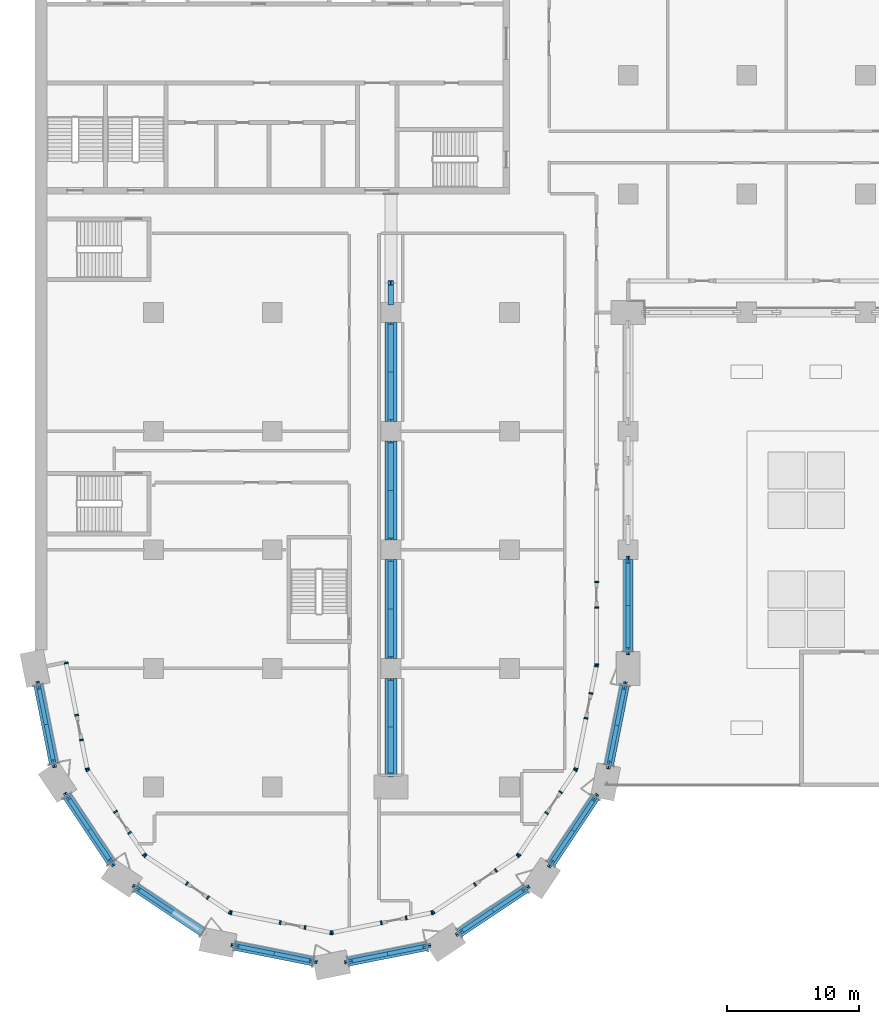
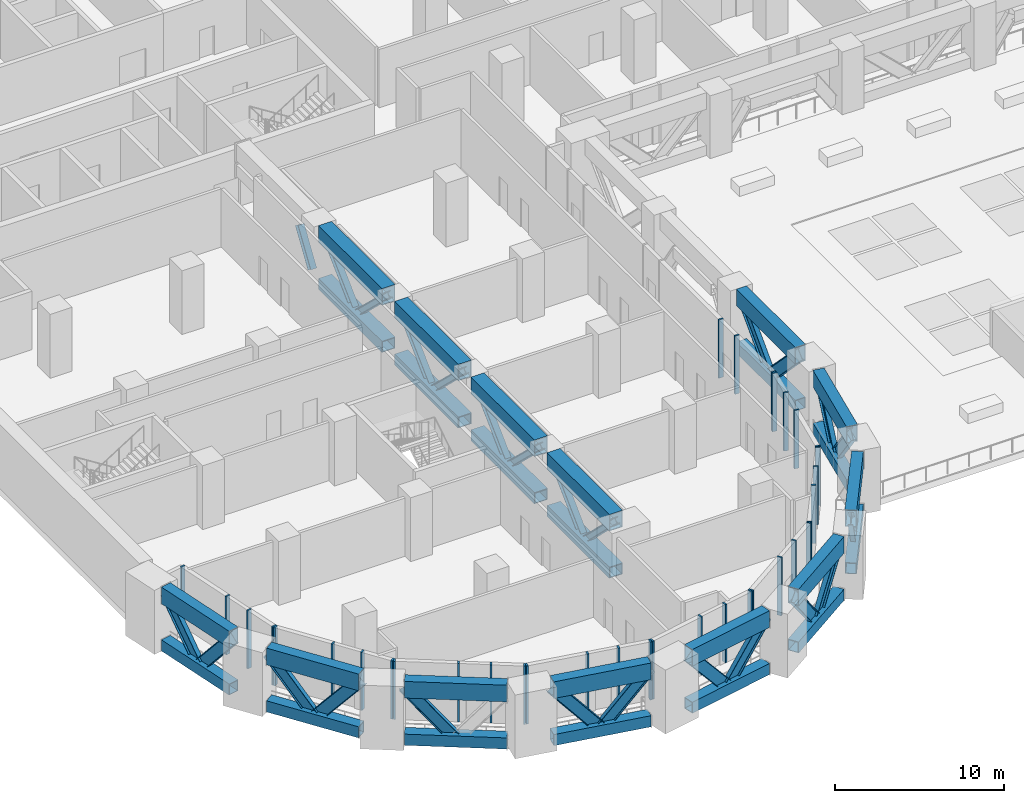
# One storey, part 2 of 31: 87 members.
"""IFC4 building model written with IfcOpenShell, lengths in metres."""

from ifc_helpers import new_model, si_unit, direction, frame, origin, origin_2d, place, context, subcontext, project, spatial, rectangle, hollow_rectangle, i_section, extrude, material, material_profile, profile_set, type_object, element, save


model = new_model("IFC4")

# Units and contexts
model_context = context("Model", 3, precision=1e-05, world=origin(), true_north=direction((0.0, 1.0)))
body_context = subcontext(model_context, "Body", "Model", "MODEL_VIEW")
ifc_project = project(units=[si_unit("LENGTHUNIT", "METRE"), si_unit("AREAUNIT", "SQUARE_METRE"), si_unit("VOLUMEUNIT", "CUBIC_METRE"), si_unit("PLANEANGLEUNIT", "RADIAN"), si_unit("MASSUNIT", "GRAM", prefix="KILO")], contexts=[model_context])

# Site, building, storey
site_placement = place(None, origin())
site = spatial("IfcSite", under=ifc_project, at=site_placement, CompositionType="ELEMENT")
building_placement = place(site_placement, origin())
building = spatial("IfcBuilding", under=site, at=building_placement, Name="Hunhe Ridgeline Campus", CompositionType="ELEMENT")
storey_placement = place(building_placement, frame((0.0, 0.0, 31.199951171875)))
storey = spatial("IfcBuildingStorey", under=building, at=storey_placement, Name="L06", CompositionType="ELEMENT", Elevation=31.199951171875)

# Members
ifc_material_1 = material(Name="Steel Q420", Category="steel")
ifc_material_profile_1 = material_profile(ifc_material_1, hollow_rectangle(XDim=0.699951171875, YDim=0.800048828125, WallThickness=0.0400390625, at=origin_2d()))
ifc_profile_set_1 = profile_set([ifc_material_profile_1], Name="Steel Q420")
member_type_1 = type_object("IfcMemberType", Name="Belt truss bottom chord Box 800x700x40 Steel Q420", PredefinedType="CHORD", material=ifc_profile_set_1)
member_1_placement = place(storey_placement, frame((0.253662109375, 25.72509765625, 0.400146484375), z_axis=(0.195087638677, -0.980785814149, 0.0), x_axis=(0.980785814149, 0.195087638677, 0.0)))
element("IfcMember", 1, at=member_1_placement, inside=storey, type_object=member_type_1, Name="Belt truss BT1 bottom chord L06 2", PredefinedType="CHORD", context=body_context, shape_type="SweptSolid", body=[
    extrude(hollow_rectangle(XDim=0.699951171875, YDim=0.800048828125, WallThickness=0.0400390625, at=origin_2d()), origin(), (0.0, 0.0, 1.0), 6.072021484375),
])
member_2_placement = place(storey_placement, frame((2.43505859375, 17.30859375, 0.400146484375), z_axis=(0.555562837265, -0.83147455394, 0.0), x_axis=(0.83147455394, 0.555562837265, 0.0)))
element("IfcMember", 2, at=member_2_placement, inside=storey, type_object=member_type_1, Name="Belt truss BT1 bottom chord L06 6", PredefinedType="CHORD", context=body_context, shape_type="SweptSolid", body=[
    extrude(hollow_rectangle(XDim=0.699951171875, YDim=0.800048828125, WallThickness=0.0400390625, at=origin_2d()), origin(), (0.0, 0.0, 1.0), 6.07177734375),
])
member_3_placement = place(storey_placement, frame((7.6708984375, 10.367919921875, 0.400146484375), z_axis=(0.831468390799, -0.555572061125, 0.0), x_axis=(0.555572061125, 0.831468390799, 0.0)))
element("IfcMember", 3, at=member_3_placement, inside=storey, type_object=member_type_1, Name="Belt truss BT1 bottom chord L06 10", PredefinedType="CHORD", context=body_context, shape_type="SweptSolid", body=[
    extrude(hollow_rectangle(XDim=0.699951171875, YDim=0.800048828125, WallThickness=0.0400390625, at=origin_2d()), origin(), (0.0, 0.0, 1.0), 6.072265625),
])
for number, where, z_axis, x_axis, name in (
    (4, (15.16455078125, 5.958984375, 0.400146484375), (0.980785814149, -0.195087638677, 0.0), (0.195087638677, 0.980785814149, 0.0), "Belt truss BT1 bottom chord L06 14"),
    (5, (23.77490234375, 4.753662109375, 0.400146484375), (0.980785814149, 0.195087638677, 0.0), (-0.195087638677, 0.980785814149, 0.0), "Belt truss BT1 bottom chord L06 18"),
):
    element("IfcMember", number, at=place(storey_placement, frame(where, z_axis=z_axis, x_axis=x_axis)), inside=storey, type_object=member_type_1, Name=name, PredefinedType="CHORD", context=body_context, shape_type="SweptSolid", body=[
        extrude(hollow_rectangle(XDim=0.699951171875, YDim=0.800048828125, WallThickness=0.0400390625, at=origin_2d()), origin(), (0.0, 0.0, 1.0), 6.072021484375),
    ])
member_4_placement = place(storey_placement, frame((32.19140625, 6.93505859375, 0.400146484375), z_axis=(0.83147455394, 0.555562837265, 0.0), x_axis=(-0.555562837265, 0.83147455394, 0.0)))
element("IfcMember", 6, at=member_4_placement, inside=storey, type_object=member_type_1, Name="Belt truss BT1 bottom chord L06 22", PredefinedType="CHORD", context=body_context, shape_type="SweptSolid", body=[
    extrude(hollow_rectangle(XDim=0.699951171875, YDim=0.800048828125, WallThickness=0.0400390625, at=origin_2d()), origin(), (0.0, 0.0, 1.0), 6.07177734375),
])
member_5_placement = place(storey_placement, frame((39.132080078125, 12.1708984375, 0.400146484375), z_axis=(0.555572061125, 0.831468390799, 0.0), x_axis=(-0.831468390799, 0.555572061125, 0.0)))
element("IfcMember", 7, at=member_5_placement, inside=storey, type_object=member_type_1, Name="Belt truss BT1 bottom chord L06 26", PredefinedType="CHORD", context=body_context, shape_type="SweptSolid", body=[
    extrude(hollow_rectangle(XDim=0.699951171875, YDim=0.800048828125, WallThickness=0.0400390625, at=origin_2d()), origin(), (0.0, 0.0, 1.0), 6.072265625),
])
member_6_placement = place(storey_placement, frame((43.541015625, 19.66455078125, 0.400146484375), z_axis=(0.195078390557, 0.980787653643, 0.0), x_axis=(-0.980787653643, 0.195078390557, 0.0)))
element("IfcMember", 8, at=member_6_placement, inside=storey, type_object=member_type_1, Name="Belt truss BT1 bottom chord L06 30", PredefinedType="CHORD", context=body_context, shape_type="SweptSolid", body=[
    extrude(hollow_rectangle(XDim=0.699951171875, YDim=0.800048828125, WallThickness=0.0400390625, at=origin_2d()), origin(), (0.0, 0.0, 1.0), 6.153564453125),
])
member_7_placement = place(storey_placement, frame((45.0, 28.300048828125, 0.400146484375), z_axis=(0.0, 1.0, 0.0), x_axis=(-1.0, 0.0, 0.0)))
element("IfcMember", 9, at=member_7_placement, inside=storey, type_object=member_type_1, Name="Belt truss BT1 bottom chord L06 34", PredefinedType="CHORD", context=body_context, shape_type="SweptSolid", body=[
    extrude(hollow_rectangle(XDim=0.699951171875, YDim=0.800048828125, WallThickness=0.0400390625, at=origin_2d()), origin(), (0.0, 0.0, 1.0), 6.949951171875),
])
ifc_material_profile_2 = material_profile(ifc_material_1, i_section(OverallWidth=0.300048828125, OverallDepth=0.800048828125, WebThickness=0.013916015625, FlangeThickness=0.02587890625, FilletRadius=0.01806640625, at=origin_2d()))
ifc_profile_set_2 = profile_set([ifc_material_profile_2], Name="Steel Q420")
member_type_2 = type_object("IfcMemberType", Name="Belt truss diagonal HN800x300x14x26 Steel Q420", PredefinedType="BRACE", material=ifc_profile_set_2)
member_8_placement = place(storey_placement, frame((0.253662109375, 25.72509765625, 4.0), z_axis=(0.125770862541, -0.632327786652, -0.764423482347), x_axis=(0.98078734433, 0.195079945671, 0.0)))
element("IfcMember", 10, at=member_8_placement, inside=storey, type_object=member_type_2, Name="Belt truss BT1 diagonal L06 3", PredefinedType="BRACE", context=body_context, shape_type="SweptSolid", body=[
    extrude(i_section(OverallWidth=0.300048828125, OverallDepth=0.800048828125, WebThickness=0.013916015625, FlangeThickness=0.02587890625, FilletRadius=0.01806640625, at=origin_2d()), origin(), (0.0, 0.0, 1.0), 4.709228515625),
])
for number, where, z_axis, x_axis, name in (
    (11, (0.845947265625, 22.747314453125, 0.400146484375), (0.125774985558, -0.632296671009, 0.764448541655), (0.980784283787, 0.195095332278, 0.0), "Belt truss BT1 diagonal L06 4"),
    (12, (2.43505859375, 17.30859375, 4.0), (0.358148476821, -0.536030269522, -0.764461391247), (0.831480717667, 0.555553612307, 0.0), "Belt truss BT1 diagonal L06 7"),
):
    element("IfcMember", number, at=place(storey_placement, frame(where, z_axis=z_axis, x_axis=x_axis)), inside=storey, type_object=member_type_2, Name=name, PredefinedType="BRACE", context=body_context, shape_type="SweptSolid", body=[
        extrude(i_section(OverallWidth=0.300048828125, OverallDepth=0.800048828125, WebThickness=0.013916015625, FlangeThickness=0.02587890625, FilletRadius=0.01806640625, at=origin_2d()), origin(), (0.0, 0.0, 1.0), 4.708984375),
    ])
for number, where, z_axis, x_axis, name in (
    (13, (4.12158203125, 14.784423828125, 0.400146484375), (0.35818371663, -0.536057262983, 0.764425951904), (0.831468390799, 0.555572061125, 0.0), "Belt truss BT1 diagonal L06 8"),
    (14, (7.6708984375, 10.367919921875, 4.0), (0.536057262983, -0.35818371663, -0.764425951904), (0.555572061125, 0.831468390799, 0.0), "Belt truss BT1 diagonal L06 11"),
    (15, (15.16455078125, 5.958984375, 4.0), (0.632327786652, -0.125770862541, -0.764423482347), (0.195079945671, 0.98078734433, 0.0), "Belt truss BT1 diagonal L06 15"),
):
    element("IfcMember", number, at=place(storey_placement, frame(where, z_axis=z_axis, x_axis=x_axis)), inside=storey, type_object=member_type_2, Name=name, PredefinedType="BRACE", context=body_context, shape_type="SweptSolid", body=[
        extrude(i_section(OverallWidth=0.300048828125, OverallDepth=0.800048828125, WebThickness=0.013916015625, FlangeThickness=0.02587890625, FilletRadius=0.01806640625, at=origin_2d()), origin(), (0.0, 0.0, 1.0), 4.709228515625),
    ])
member_9_placement = place(storey_placement, frame((18.142333984375, 5.36669921875, 0.400146484375), z_axis=(0.632296671009, -0.125774985558, 0.764448541655), x_axis=(0.195095332278, 0.980784283787, 0.0)))
element("IfcMember", 16, at=member_9_placement, inside=storey, type_object=member_type_2, Name="Belt truss BT1 diagonal L06 16", PredefinedType="BRACE", context=body_context, shape_type="SweptSolid", body=[
    extrude(i_section(OverallWidth=0.300048828125, OverallDepth=0.800048828125, WebThickness=0.013916015625, FlangeThickness=0.02587890625, FilletRadius=0.01806640625, at=origin_2d()), origin(), (0.0, 0.0, 1.0), 4.708984375),
])
member_10_placement = place(storey_placement, frame((23.77490234375, 4.753662109375, 4.0), z_axis=(0.632327786652, 0.125770862541, -0.764423482347), x_axis=(-0.195079945671, 0.98078734433, 0.0)))
element("IfcMember", 17, at=member_10_placement, inside=storey, type_object=member_type_2, Name="Belt truss BT1 diagonal L06 19", PredefinedType="BRACE", context=body_context, shape_type="SweptSolid", body=[
    extrude(i_section(OverallWidth=0.300048828125, OverallDepth=0.800048828125, WebThickness=0.013916015625, FlangeThickness=0.02587890625, FilletRadius=0.01806640625, at=origin_2d()), origin(), (0.0, 0.0, 1.0), 4.709228515625),
])
for number, where, z_axis, x_axis, name in (
    (18, (26.752685546875, 5.345947265625, 0.400146484375), (0.632296671009, 0.125774985558, 0.764448541655), (-0.195095332278, 0.980784283787, 0.0), "Belt truss BT1 diagonal L06 20"),
    (19, (32.19140625, 6.93505859375, 4.0), (0.536030269522, 0.358148476821, -0.764461391247), (-0.555553612307, 0.831480717667, 0.0), "Belt truss BT1 diagonal L06 23"),
):
    element("IfcMember", number, at=place(storey_placement, frame(where, z_axis=z_axis, x_axis=x_axis)), inside=storey, type_object=member_type_2, Name=name, PredefinedType="BRACE", context=body_context, shape_type="SweptSolid", body=[
        extrude(i_section(OverallWidth=0.300048828125, OverallDepth=0.800048828125, WebThickness=0.013916015625, FlangeThickness=0.02587890625, FilletRadius=0.01806640625, at=origin_2d()), origin(), (0.0, 0.0, 1.0), 4.708984375),
    ])
for number, where, z_axis, x_axis, name in (
    (20, (34.715576171875, 8.62158203125, 0.400146484375), (0.536057262983, 0.35818371663, 0.764425951904), (-0.555572061125, 0.831468390799, 0.0), "Belt truss BT1 diagonal L06 24"),
    (21, (39.132080078125, 12.1708984375, 4.0), (0.35818371663, 0.536057262983, -0.764425951904), (-0.831468390799, 0.555572061125, 0.0), "Belt truss BT1 diagonal L06 27"),
    (22, (40.81884765625, 14.6953125, 0.400146484375), (0.35818371663, 0.536057262983, 0.764425951904), (-0.831468390799, 0.555572061125, 0.0), "Belt truss BT1 diagonal L06 28"),
):
    element("IfcMember", number, at=place(storey_placement, frame(where, z_axis=z_axis, x_axis=x_axis)), inside=storey, type_object=member_type_2, Name=name, PredefinedType="BRACE", context=body_context, shape_type="SweptSolid", body=[
        extrude(i_section(OverallWidth=0.300048828125, OverallDepth=0.800048828125, WebThickness=0.013916015625, FlangeThickness=0.02587890625, FilletRadius=0.01806640625, at=origin_2d()), origin(), (0.0, 0.0, 1.0), 4.709228515625),
    ])
for number, where, z_axis, x_axis, name in (
    (23, (43.541015625, 19.66455078125, 4.0), (0.126719363734, 0.637257142032, -0.760161520852), (-0.980796753016, 0.19503263643, 0.0), "Belt truss BT1 diagonal L06 31"),
    (24, (44.14111328125, 22.682373046875, 0.400146484375), (0.126774254013, 0.637222358521, 0.760181527216), (-0.980778551567, 0.195124147112, 0.0), "Belt truss BT1 diagonal L06 32"),
):
    element("IfcMember", number, at=place(storey_placement, frame(where, z_axis=z_axis, x_axis=x_axis)), inside=storey, type_object=member_type_2, Name=name, PredefinedType="BRACE", context=body_context, shape_type="SweptSolid", body=[
        extrude(i_section(OverallWidth=0.300048828125, OverallDepth=0.800048828125, WebThickness=0.013916015625, FlangeThickness=0.02587890625, FilletRadius=0.01806640625, at=origin_2d()), origin(), (0.0, 0.0, 1.0), 4.735595703125),
    ])
for number, where, z_axis, x_axis, name in (
    (25, (45.0, 28.300048828125, 4.0), (0.0, 0.694504814863, -0.719488055586), (-1.0, 0.0, 0.0), "Belt truss BT1 diagonal L06 35"),
    (26, (45.0, 31.77490234375, 0.400146484375), (0.0, 0.694530073152, 0.719463673501), (-1.0, 0.0, 0.0), "Belt truss BT1 diagonal L06 36"),
):
    element("IfcMember", number, at=place(storey_placement, frame(where, z_axis=z_axis, x_axis=x_axis)), inside=storey, type_object=member_type_2, Name=name, PredefinedType="BRACE", context=body_context, shape_type="SweptSolid", body=[
        extrude(i_section(OverallWidth=0.300048828125, OverallDepth=0.800048828125, WebThickness=0.013916015625, FlangeThickness=0.02587890625, FilletRadius=0.01806640625, at=origin_2d()), origin(), (0.0, 0.0, 1.0), 5.00341796875),
    ])
ifc_material_profile_3 = material_profile(ifc_material_1, hollow_rectangle(XDim=0.699951171875, YDim=1.199951171875, WallThickness=0.0400390625, at=origin_2d()))
ifc_profile_set_3 = profile_set([ifc_material_profile_3], Name="Steel Q420")
member_type_3 = type_object("IfcMemberType", Name="Belt truss top chord Box 1200x700x40 Steel Q420", PredefinedType="CHORD", material=ifc_profile_set_3)
member_11_placement = place(storey_placement, frame((0.253662109375, 25.72509765625, 4.0), z_axis=(0.195087638677, -0.980785814149, 0.0), x_axis=(0.980785814149, 0.195087638677, 0.0)))
element("IfcMember", 27, at=member_11_placement, inside=storey, type_object=member_type_3, Name="Belt truss BT1 top chord L06 1", PredefinedType="CHORD", context=body_context, shape_type="SweptSolid", body=[
    extrude(hollow_rectangle(XDim=0.699951171875, YDim=1.199951171875, WallThickness=0.0400390625, at=origin_2d()), origin(), (0.0, 0.0, 1.0), 6.072021484375),
])
member_12_placement = place(storey_placement, frame((2.43505859375, 17.30859375, 4.0), z_axis=(0.555562837265, -0.83147455394, 0.0), x_axis=(0.83147455394, 0.555562837265, 0.0)))
element("IfcMember", 28, at=member_12_placement, inside=storey, type_object=member_type_3, Name="Belt truss BT1 top chord L06 5", PredefinedType="CHORD", context=body_context, shape_type="SweptSolid", body=[
    extrude(hollow_rectangle(XDim=0.699951171875, YDim=1.199951171875, WallThickness=0.0400390625, at=origin_2d()), origin(), (0.0, 0.0, 1.0), 6.07177734375),
])
member_13_placement = place(storey_placement, frame((7.6708984375, 10.367919921875, 4.0), z_axis=(0.831468390799, -0.555572061125, 0.0), x_axis=(0.555572061125, 0.831468390799, 0.0)))
element("IfcMember", 29, at=member_13_placement, inside=storey, type_object=member_type_3, Name="Belt truss BT1 top chord L06 9", PredefinedType="CHORD", context=body_context, shape_type="SweptSolid", body=[
    extrude(hollow_rectangle(XDim=0.699951171875, YDim=1.199951171875, WallThickness=0.0400390625, at=origin_2d()), origin(), (0.0, 0.0, 1.0), 6.072265625),
])
for number, where, z_axis, x_axis, name in (
    (30, (15.16455078125, 5.958984375, 4.0), (0.980785814149, -0.195087638677, 0.0), (0.195087638677, 0.980785814149, 0.0), "Belt truss BT1 top chord L06 13"),
    (31, (23.77490234375, 4.753662109375, 4.0), (0.980785814149, 0.195087638677, 0.0), (-0.195087638677, 0.980785814149, 0.0), "Belt truss BT1 top chord L06 17"),
):
    element("IfcMember", number, at=place(storey_placement, frame(where, z_axis=z_axis, x_axis=x_axis)), inside=storey, type_object=member_type_3, Name=name, PredefinedType="CHORD", context=body_context, shape_type="SweptSolid", body=[
        extrude(hollow_rectangle(XDim=0.699951171875, YDim=1.199951171875, WallThickness=0.0400390625, at=origin_2d()), origin(), (0.0, 0.0, 1.0), 6.072021484375),
    ])
member_14_placement = place(storey_placement, frame((32.19140625, 6.93505859375, 4.0), z_axis=(0.83147455394, 0.555562837265, 0.0), x_axis=(-0.555562837265, 0.83147455394, 0.0)))
element("IfcMember", 32, at=member_14_placement, inside=storey, type_object=member_type_3, Name="Belt truss BT1 top chord L06 21", PredefinedType="CHORD", context=body_context, shape_type="SweptSolid", body=[
    extrude(hollow_rectangle(XDim=0.699951171875, YDim=1.199951171875, WallThickness=0.0400390625, at=origin_2d()), origin(), (0.0, 0.0, 1.0), 6.07177734375),
])
member_15_placement = place(storey_placement, frame((39.132080078125, 12.1708984375, 4.0), z_axis=(0.555572061125, 0.831468390799, 0.0), x_axis=(-0.831468390799, 0.555572061125, 0.0)))
element("IfcMember", 33, at=member_15_placement, inside=storey, type_object=member_type_3, Name="Belt truss BT1 top chord L06 25", PredefinedType="CHORD", context=body_context, shape_type="SweptSolid", body=[
    extrude(hollow_rectangle(XDim=0.699951171875, YDim=1.199951171875, WallThickness=0.0400390625, at=origin_2d()), origin(), (0.0, 0.0, 1.0), 6.072265625),
])
member_16_placement = place(storey_placement, frame((43.541015625, 19.66455078125, 4.0), z_axis=(0.195078390557, 0.980787653643, 0.0), x_axis=(-0.980787653643, 0.195078390557, 0.0)))
element("IfcMember", 34, at=member_16_placement, inside=storey, type_object=member_type_3, Name="Belt truss BT1 top chord L06 29", PredefinedType="CHORD", context=body_context, shape_type="SweptSolid", body=[
    extrude(hollow_rectangle(XDim=0.699951171875, YDim=1.199951171875, WallThickness=0.0400390625, at=origin_2d()), origin(), (0.0, 0.0, 1.0), 6.153564453125),
])
member_17_placement = place(storey_placement, frame((45.0, 28.300048828125, 4.0), z_axis=(0.0, 1.0, 0.0), x_axis=(-1.0, 0.0, 0.0)))
element("IfcMember", 35, at=member_17_placement, inside=storey, type_object=member_type_3, Name="Belt truss BT1 top chord L06 33", PredefinedType="CHORD", context=body_context, shape_type="SweptSolid", body=[
    extrude(hollow_rectangle(XDim=0.699951171875, YDim=1.199951171875, WallThickness=0.0400390625, at=origin_2d()), origin(), (0.0, 0.0, 1.0), 6.949951171875),
])
ifc_material_2 = material(Name="Aluminium 6063", Category="aluminium")
ifc_material_profile_4 = material_profile(ifc_material_2, rectangle(XDim=0.300048828125, YDim=0.1201171875, at=origin_2d()))
ifc_profile_set_4 = profile_set([ifc_material_profile_4], Name="Aluminium 6063")
member_type_4 = type_object("IfcMemberType", Name="Louvre frame jamb 120x300 Aluminium 6063", PredefinedType="USERDEFINED", material=ifc_profile_set_4)
for number, where, z_axis, x_axis, name in (
    (36, (2.366455078125, 27.409912109375, 0.0), (0.0, 0.0, 1.0), (0.980784280831, 0.195095347137, 0.0), "Louvre frame jamb 1a"),
    (37, (3.15283203125, 23.456298828125, 0.0), (0.0, 0.0, 1.0), (0.980784280831, 0.195095347137, 0.0), "Louvre frame jamb 1b"),
    (38, (3.52734375, 21.5732421875, 0.0), (0.0, 0.0, 1.0), (0.980784306597, 0.195095217605, 0.0), "Louvre frame jamb 2a"),
    (39, (3.962646484375, 19.38525390625, 0.0), (0.0, 0.0, 1.0), (0.980784306597, 0.195095217605, 0.0), "Louvre frame jamb 2b"),
    (40, (4.0078125, 19.276611328125, 0.0), (0.0, 0.0, 1.0), (0.83146952548, 0.555570362959, 0.0), "Louvre frame jamb 3a"),
    (41, (6.114501953125, 16.123779296875, 0.0), (0.0, 0.0, 1.0), (0.83146952548, 0.555570362959, 0.0), "Louvre frame jamb 3b"),
    (42, (7.18115234375, 14.52734375, 0.0), (0.0, 0.0, 1.0), (0.831469622629, 0.555570217564, 0.0), "Louvre frame jamb 4a"),
    (43, (8.287841796875, 12.87109375, 0.0), (0.0, 0.0, 1.0), (0.831469622629, 0.555570217564, 0.0), "Louvre frame jamb 4b"),
    (44, (8.37109375, 12.787841796875, 0.0), (0.0, 0.0, 1.0), (0.555570186233, 0.831469643564, 0.0), "Louvre frame jamb 5a"),
    (45, (11.52392578125, 10.68115234375, 0.0), (0.0, 0.0, 1.0), (0.555570186233, 0.831469643564, 0.0), "Louvre frame jamb 5b"),
    (46, (13.120361328125, 9.614501953125, 0.0), (0.0, 0.0, 1.0), (0.555570217564, 0.831469622629, 0.0), "Louvre frame jamb 6a"),
    (47, (14.776611328125, 8.5078125, 0.0), (0.0, 0.0, 1.0), (0.555570217564, 0.831469622629, 0.0), "Louvre frame jamb 6b"),
    (48, (14.88525390625, 8.462646484375, 0.0), (0.0, 0.0, 1.0), (0.195090224598, 0.980785299781, 0.0), "Louvre frame jamb 7a"),
    (49, (18.6044921875, 7.722900390625, 0.0), (0.0, 0.0, 1.0), (0.195090224598, 0.980785299781, 0.0), "Louvre frame jamb 7b"),
    (50, (20.487548828125, 7.348388671875, 0.0), (0.0, 0.0, 1.0), (0.195090359847, 0.980785272878, 0.0), "Louvre frame jamb 8a"),
    (51, (22.441162109375, 6.959716796875, 0.0), (0.0, 0.0, 1.0), (0.195090359847, 0.980785272878, 0.0), "Louvre frame jamb 8b"),
    (52, (22.558837890625, 6.959716796875, 0.0), (0.0, 0.0, 1.0), (-0.195090470497, 0.980785250869, 0.0), "Louvre frame jamb 9a"),
    (53, (26.27783203125, 7.699462890625, 0.0), (0.0, 0.0, 1.0), (-0.195090470497, 0.980785250869, 0.0), "Louvre frame jamb 9b"),
    (54, (28.1611328125, 8.073974609375, 0.0), (0.0, 0.0, 1.0), (-0.195090359847, 0.980785272878, 0.0), "Louvre frame jamb 10a"),
    (55, (30.11474609375, 8.462646484375, 0.0), (0.0, 0.0, 1.0), (-0.195090359847, 0.980785272878, 0.0), "Louvre frame jamb 10b"),
    (56, (30.223388671875, 8.5078125, 0.0), (0.0, 0.0, 1.0), (-0.555570362959, 0.83146952548, 0.0), "Louvre frame jamb 11a"),
    (57, (33.376220703125, 10.614501953125, 0.0), (0.0, 0.0, 1.0), (-0.555570362959, 0.83146952548, 0.0), "Louvre frame jamb 11b"),
    (58, (34.97265625, 11.68115234375, 0.0), (0.0, 0.0, 1.0), (-0.555570217564, 0.831469622629, 0.0), "Louvre frame jamb 12a"),
    (59, (36.62890625, 12.787841796875, 0.0), (0.0, 0.0, 1.0), (-0.555570217564, 0.831469622629, 0.0), "Louvre frame jamb 12b"),
    (60, (36.712158203125, 12.87109375, 0.0), (0.0, 0.0, 1.0), (-0.83146952548, 0.555570362959, 0.0), "Louvre frame jamb 13a"),
    (61, (38.81884765625, 16.02392578125, 0.0), (0.0, 0.0, 1.0), (-0.83146952548, 0.555570362959, 0.0), "Louvre frame jamb 13b"),
    (62, (39.885498046875, 17.620361328125, 0.0), (0.0, 0.0, 1.0), (-0.831469622629, 0.555570217564, 0.0), "Louvre frame jamb 14a"),
    (63, (40.9921875, 19.276611328125, 0.0), (0.0, 0.0, 1.0), (-0.831469622629, 0.555570217564, 0.0), "Louvre frame jamb 14b"),
    (64, (41.037353515625, 19.38525390625, 0.0), (0.0, 0.0, 1.0), (-0.980785308664, 0.195090179937, 0.0), "Louvre frame jamb 15a"),
    (65, (41.800537109375, 23.22265625, 0.0), (0.0, 0.0, 1.0), (-0.980785308664, 0.195090179937, 0.0), "Louvre frame jamb 15b"),
    (66, (42.175048828125, 25.105712890625, 0.0), (0.0, 0.0, 1.0), (-0.980785273328, 0.195090357587, 0.0), "Louvre frame jamb 16a"),
    (67, (42.58740234375, 27.177734375, 0.0), (0.0, 0.0, 1.0), (-0.980785273328, 0.195090357587, 0.0), "Louvre frame jamb 16b"),
    (68, (42.59912109375, 27.29638671875, 0.0), (0.0, 0.0, 1.0), (-1.0, 2.24188e-07, 0.0), "Louvre frame jamb 17a"),
    (69, (42.59912109375, 31.636962890625, 0.0), (0.0, 0.0, 1.0), (-1.0, 2.24188e-07, 0.0), "Louvre frame jamb 17b"),
    (70, (42.59912109375, 33.55712890625, 0.0), (0.0, 0.0, 1.0), (-1.0, 1.40429e-07, 0.0), "Louvre frame jamb 18a"),
):
    element("IfcMember", number, at=place(storey_placement, frame(where, z_axis=z_axis, x_axis=x_axis)), inside=storey, type_object=member_type_4, Name=name, ObjectType="LOUVRE FRAME", PredefinedType="USERDEFINED", context=body_context, shape_type="SweptSolid", body=[
        extrude(rectangle(XDim=0.300048828125, YDim=0.1201171875, at=origin_2d()), origin(), (0.0, 0.0, 1.0), 4.199951171875),
    ])
ifc_material_profile_5 = material_profile(ifc_material_1, hollow_rectangle(XDim=0.89990234375, YDim=0.800048828125, WallThickness=0.050048828125, at=origin_2d()))
ifc_profile_set_5 = profile_set([ifc_material_profile_5], Name="Steel Q420")
member_type_5 = type_object("IfcMemberType", Name="Outrigger truss bottom chord Box 800x900x50 Steel Q420", PredefinedType="CHORD", material=ifc_profile_set_5)
for number, where, z_axis, x_axis, name in (
    (71, (27.0, 53.25, 0.400146484375), (0.0, -1.0, 0.0), (1.0, 0.0, 0.0), "Outrigger truss OR2 bottom chord L06 5"),
    (72, (27.0, 44.25, 0.400146484375), (0.0, -1.0, 0.0), (1.0, 0.0, 0.0), "Outrigger truss OR2 bottom chord L06 9"),
    (73, (27.0, 35.25, 0.400146484375), (0.0, -1.0, 0.0), (1.0, 0.0, 0.0), "Outrigger truss OR2 bottom chord L06 13"),
):
    element("IfcMember", number, at=place(storey_placement, frame(where, z_axis=z_axis, x_axis=x_axis)), inside=storey, type_object=member_type_5, Name=name, PredefinedType="CHORD", context=body_context, shape_type="SweptSolid", body=[
        extrude(hollow_rectangle(XDim=0.89990234375, YDim=0.800048828125, WallThickness=0.050048828125, at=origin_2d()), origin(), (0.0, 0.0, 1.0), 7.5),
    ])
member_18_placement = place(storey_placement, frame((27.0, 26.25, 0.400146484375), z_axis=(0.0, -1.0, 0.0), x_axis=(1.0, 0.0, 0.0)))
element("IfcMember", 74, at=member_18_placement, inside=storey, type_object=member_type_5, Name="Outrigger truss OR2 bottom chord L06 17", PredefinedType="CHORD", context=body_context, shape_type="SweptSolid", body=[
    extrude(hollow_rectangle(XDim=0.89990234375, YDim=0.800048828125, WallThickness=0.050048828125, at=origin_2d()), origin(), (0.0, 0.0, 1.0), 7.35009765625),
])
ifc_material_profile_6 = material_profile(ifc_material_1, i_section(OverallWidth=0.406982421875, OverallDepth=0.427978515625, WebThickness=0.02001953125, FlangeThickness=0.034912109375, FilletRadius=0.02197265625, at=origin_2d()))
ifc_profile_set_6 = profile_set([ifc_material_profile_6], Name="Steel Q420")
member_type_6 = type_object("IfcMemberType", Name="Outrigger truss diagonal HW428x407x20x35 Steel Q420", PredefinedType="BRACE", material=ifc_profile_set_6)
member_19_placement = place(storey_placement, frame((27.0, 56.25, 2.699951171875), z_axis=(0.0, -0.546300327661, -0.837589369558), x_axis=(1.0, 0.0, 0.0)))
element("IfcMember", 75, at=member_19_placement, inside=storey, type_object=member_type_6, Name="Outrigger truss OR2 knee brace L06 3", PredefinedType="BRACE", context=body_context, shape_type="SweptSolid", body=[
    extrude(i_section(OverallWidth=0.406982421875, OverallDepth=0.427978515625, WebThickness=0.02001953125, FlangeThickness=0.034912109375, FilletRadius=0.02197265625, at=origin_2d()), origin(), (0.0, 0.0, 1.0), 2.745849609375),
])
for number, where, z_axis, x_axis, name in (
    (76, (27.0, 53.25, 4.0), (0.0, -0.721401399021, -0.692517163318), (1.0, 0.0, 0.0), "Outrigger truss OR2 diagonal L06 6"),
    (77, (27.0, 49.5, 0.400146484375), (0.0, -0.721401399021, 0.692517163318), (1.0, 0.0, 0.0), "Outrigger truss OR2 diagonal L06 7"),
    (78, (27.0, 44.25, 4.0), (0.0, -0.721401399021, -0.692517163318), (1.0, 0.0, 0.0), "Outrigger truss OR2 diagonal L06 10"),
    (79, (27.0, 40.5, 0.400146484375), (0.0, -0.721401399021, 0.692517163318), (1.0, 0.0, 0.0), "Outrigger truss OR2 diagonal L06 11"),
    (80, (27.0, 35.25, 4.0), (0.0, -0.721401399021, -0.692517163318), (1.0, 0.0, 0.0), "Outrigger truss OR2 diagonal L06 14"),
    (81, (27.0, 31.5, 0.400146484375), (0.0, -0.721401399021, 0.692517163318), (1.0, 0.0, 0.0), "Outrigger truss OR2 diagonal L06 15"),
):
    element("IfcMember", number, at=place(storey_placement, frame(where, z_axis=z_axis, x_axis=x_axis)), inside=storey, type_object=member_type_6, Name=name, PredefinedType="BRACE", context=body_context, shape_type="SweptSolid", body=[
        extrude(i_section(OverallWidth=0.406982421875, OverallDepth=0.427978515625, WebThickness=0.02001953125, FlangeThickness=0.034912109375, FilletRadius=0.02197265625, at=origin_2d()), origin(), (0.0, 0.0, 1.0), 5.1982421875),
    ])
for number, where, z_axis, x_axis, name in (
    (82, (27.0, 26.25, 4.0), (0.0, -0.714377463241, -0.699760559058), (1.0, 0.0, 0.0), "Outrigger truss OR2 diagonal L06 18"),
    (83, (27.0, 22.574951171875, 0.400146484375), (0.0, -0.714377463241, 0.699760559058), (1.0, 0.0, 0.0), "Outrigger truss OR2 diagonal L06 19"),
):
    element("IfcMember", number, at=place(storey_placement, frame(where, z_axis=z_axis, x_axis=x_axis)), inside=storey, type_object=member_type_6, Name=name, PredefinedType="BRACE", context=body_context, shape_type="SweptSolid", body=[
        extrude(i_section(OverallWidth=0.406982421875, OverallDepth=0.427978515625, WebThickness=0.02001953125, FlangeThickness=0.034912109375, FilletRadius=0.02197265625, at=origin_2d()), origin(), (0.0, 0.0, 1.0), 5.144287109375),
    ])
ifc_material_profile_7 = material_profile(ifc_material_1, hollow_rectangle(XDim=0.89990234375, YDim=1.199951171875, WallThickness=0.050048828125, at=origin_2d()))
ifc_profile_set_7 = profile_set([ifc_material_profile_7], Name="Steel Q420")
member_type_7 = type_object("IfcMemberType", Name="Outrigger truss top chord Box 1200x900x50 Steel Q420", PredefinedType="CHORD", material=ifc_profile_set_7)
for number, where, z_axis, x_axis, name in (
    (84, (27.0, 53.25, 4.0), (0.0, -1.0, 0.0), (1.0, 0.0, 0.0), "Outrigger truss OR2 top chord L06 4"),
    (85, (27.0, 44.25, 4.0), (0.0, -1.0, 0.0), (1.0, 0.0, 0.0), "Outrigger truss OR2 top chord L06 8"),
    (86, (27.0, 35.25, 4.0), (0.0, -1.0, 0.0), (1.0, 0.0, 0.0), "Outrigger truss OR2 top chord L06 12"),
):
    element("IfcMember", number, at=place(storey_placement, frame(where, z_axis=z_axis, x_axis=x_axis)), inside=storey, type_object=member_type_7, Name=name, PredefinedType="CHORD", context=body_context, shape_type="SweptSolid", body=[
        extrude(hollow_rectangle(XDim=0.89990234375, YDim=1.199951171875, WallThickness=0.050048828125, at=origin_2d()), origin(), (0.0, 0.0, 1.0), 7.5),
    ])
member_20_placement = place(storey_placement, frame((27.0, 26.25, 4.0), z_axis=(0.0, -1.0, 0.0), x_axis=(1.0, 0.0, 0.0)))
element("IfcMember", 87, at=member_20_placement, inside=storey, type_object=member_type_7, Name="Outrigger truss OR2 top chord L06 16", PredefinedType="CHORD", context=body_context, shape_type="SweptSolid", body=[
    extrude(hollow_rectangle(XDim=0.89990234375, YDim=1.199951171875, WallThickness=0.050048828125, at=origin_2d()), origin(), (0.0, 0.0, 1.0), 7.35009765625),
])

save(model, "model.ifc")
